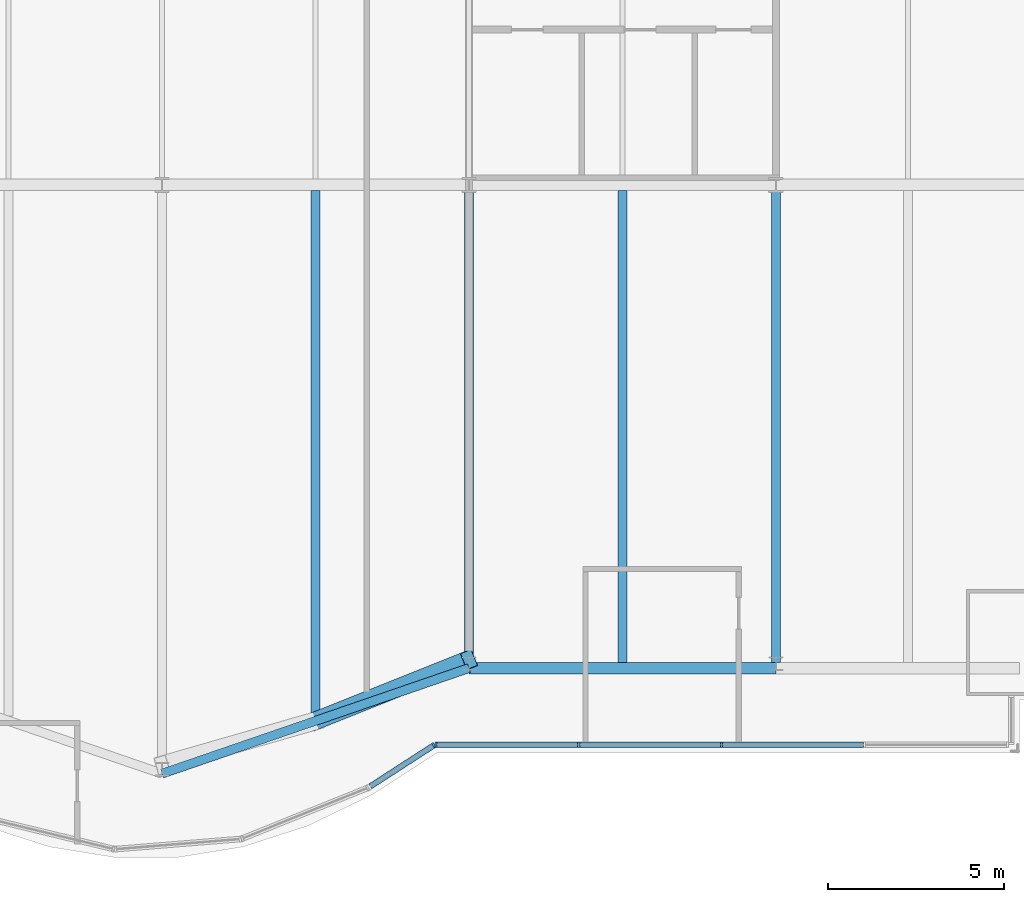
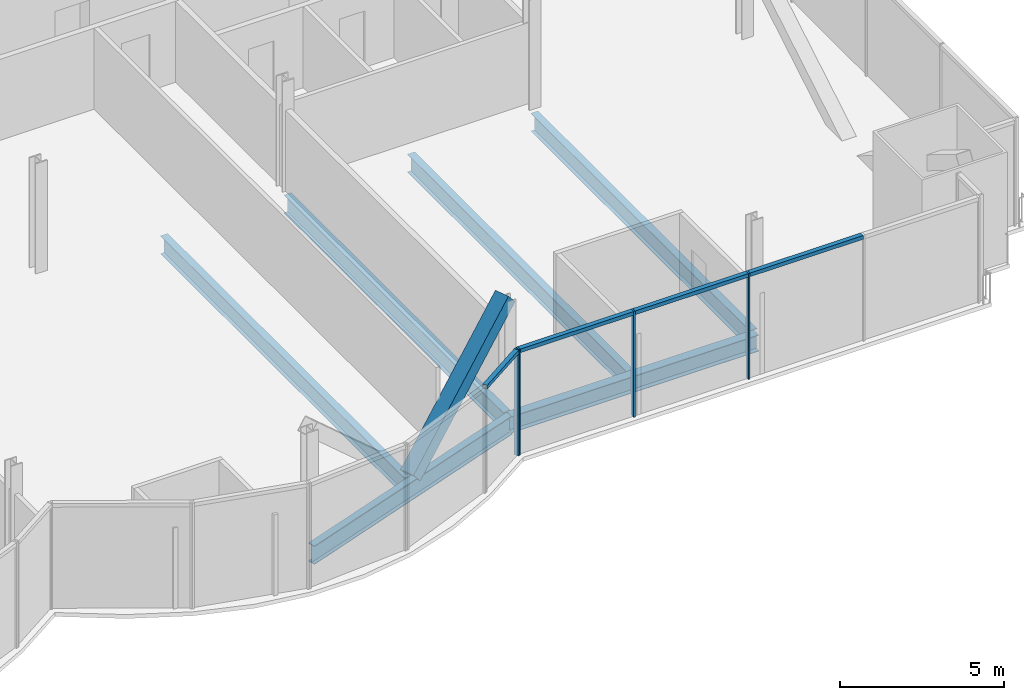
# One storey, part 8 of 21: 9 members, 6 beams, 2 elements without a shape of their own.
"""IFC4 building model written with IfcOpenShell, lengths in metres."""

from ifc_helpers import new_model, si_unit, direction, frame, origin, origin_2d, place, context, subcontext, project, spatial, rectangle, hollow_rectangle, i_section, extrude, material, material_profile, profile_set, type_object, element, aggregate, save


model = new_model("IFC4")

# Units and contexts
model_context = context("Model", 3, precision=1e-05, world=origin(), true_north=direction((0.0, 1.0)))
body_context = subcontext(model_context, "Body", "Model", "MODEL_VIEW")
ifc_project = project(units=[si_unit("LENGTHUNIT", "METRE"), si_unit("AREAUNIT", "SQUARE_METRE"), si_unit("VOLUMEUNIT", "CUBIC_METRE"), si_unit("PLANEANGLEUNIT", "RADIAN"), si_unit("MASSUNIT", "GRAM", prefix="KILO")], contexts=[model_context])

# Site, building, storey
site_placement = place(None, origin())
site = spatial("IfcSite", under=ifc_project, at=site_placement, CompositionType="ELEMENT")
building_placement = place(site_placement, origin())
building = spatial("IfcBuilding", under=site, at=building_placement, Name="Bicima Exchange Tower", CompositionType="ELEMENT")
storey_placement = place(building_placement, frame((0.0, 0.0, 106.300048828125)))
storey = spatial("IfcBuildingStorey", under=building, at=storey_placement, Name="L22", CompositionType="ELEMENT", Elevation=106.300048828125)

# Beams
ifc_material_1 = material(Name="Steel ASTM A992 Gr 50", Category="steel")
ifc_material_profile_1 = material_profile(ifc_material_1, i_section(OverallWidth=0.25390625, OverallDepth=0.67822265625, WebThickness=0.01171875, FlangeThickness=0.016357421875, at=origin_2d()))
ifc_profile_set_1 = profile_set([ifc_material_profile_1], Name="Steel ASTM A992 Gr 50")
beam_type_1 = type_object("IfcBeamType", Name="Floor beam W27x84", PredefinedType="JOIST", material=ifc_profile_set_1)
beam_1_placement = place(storey_placement, frame((13.050048828125, -22.16259765625, -0.4892578125), z_axis=(0.0, -1.0, 0.0), x_axis=(1.0, 0.0, 0.0)))
element("IfcBeam", 1, at=beam_1_placement, inside=storey, type_object=beam_type_1, Name="Floor beam", PredefinedType="JOIST", context=body_context, shape_type="SweptSolid", body=[
    extrude(i_section(OverallWidth=0.25390625, OverallDepth=0.67822265625, WebThickness=0.01171875, FlangeThickness=0.016357421875, at=origin_2d()), origin(), (0.0, 0.0, 1.0), 14.893310546875),
])
beam_2_placement = place(storey_placement, frame((17.39990234375, -22.16259765625, -0.4892578125), z_axis=(0.0, -1.0, 0.0), x_axis=(1.0, 0.0, 0.0)))
element("IfcBeam", 2, at=beam_2_placement, inside=storey, type_object=beam_type_1, Name="Floor beam", PredefinedType="JOIST", context=body_context, shape_type="SweptSolid", body=[
    extrude(i_section(OverallWidth=0.25390625, OverallDepth=0.67822265625, WebThickness=0.01171875, FlangeThickness=0.016357421875, at=origin_2d()), origin(), (0.0, 0.0, 1.0), 13.397705078125),
])
for number, where, z_axis, x_axis, name in (
    (3, (21.75, -22.16259765625, -0.4892578125), (0.0, -1.0, 0.0), (1.0, 0.0, 0.0), "Floor beam"),
    (4, (26.10009765625, -22.16259765625, -0.4892578125), (0.0, -1.0, 0.0), (1.0, 0.0, 0.0), "Floor beam"),
):
    element("IfcBeam", number, at=place(storey_placement, frame(where, z_axis=z_axis, x_axis=x_axis)), inside=storey, type_object=beam_type_1, Name=name, PredefinedType="JOIST", context=body_context, shape_type="SweptSolid", body=[
        extrude(i_section(OverallWidth=0.25390625, OverallDepth=0.67822265625, WebThickness=0.01171875, FlangeThickness=0.016357421875, at=origin_2d()), origin(), (0.0, 0.0, 1.0), 13.370849609375),
    ])
ifc_material_profile_2 = material_profile(ifc_material_1, i_section(OverallWidth=0.3251953125, OverallDepth=0.612060546875, WebThickness=0.0126953125, FlangeThickness=0.01904296875, at=origin_2d()))
ifc_profile_set_2 = profile_set([ifc_material_profile_2], Name="Steel ASTM A992 Gr 50")
beam_type_2 = type_object("IfcBeamType", Name="Front girder W24x104", PredefinedType="BEAM", material=ifc_profile_set_2)
beam_3_placement = place(storey_placement, frame((17.39990234375, -35.696044921875, -0.4560546875), z_axis=(1.0, 0.0, 0.0), x_axis=(0.0, 1.0, 0.0)))
element("IfcBeam", 5, at=beam_3_placement, inside=storey, type_object=beam_type_2, Name="Front girder", PredefinedType="BEAM", context=body_context, shape_type="SweptSolid", body=[
    extrude(i_section(OverallWidth=0.3251953125, OverallDepth=0.612060546875, WebThickness=0.0126953125, FlangeThickness=0.01904296875, at=origin_2d()), origin(), (0.0, 0.0, 1.0), 8.7001953125),
])
ifc_material_profile_3 = material_profile(ifc_material_1, i_section(OverallWidth=0.256591796875, OverallDepth=0.693359375, WebThickness=0.014404296875, FlangeThickness=0.023681640625, at=origin_2d()))
ifc_profile_set_3 = profile_set([ifc_material_profile_3], Name="Steel ASTM A992 Gr 50")
beam_type_3 = type_object("IfcBeamType", Name="Front girder W27x114", PredefinedType="BEAM", material=ifc_profile_set_3)
beam_4_placement = place(storey_placement, frame((8.699951171875, -38.68701171875, -0.496826171875), z_axis=(0.945674616091, 0.32511462668, 0.0), x_axis=(-0.32511462668, 0.945674616091, 0.0)))
element("IfcBeam", 6, at=beam_4_placement, inside=storey, type_object=beam_type_3, Name="Front girder", PredefinedType="BEAM", context=body_context, shape_type="SweptSolid", body=[
    extrude(i_section(OverallWidth=0.256591796875, OverallDepth=0.693359375, WebThickness=0.014404296875, FlangeThickness=0.023681640625, at=origin_2d()), origin(), (0.0, 0.0, 1.0), 9.19970703125),
])

# Curtain wall, member
ifc_material_2 = material(Name="Anodised bronze aluminium", Category="aluminium")
curtain_wall_type = type_object("IfcCurtainWallType", Name="Front glass wall", PredefinedType="NOTDEFINED", material=ifc_material_2)
curtain_wall_1_placement = place(storey_placement, origin())
curtain_wall_1 = element("IfcCurtainWall", 7, at=curtain_wall_1_placement, inside=storey, type_object=curtain_wall_type, Name="Front glass wall L22 run 11", PredefinedType="NOTDEFINED")
ifc_material_profile_4 = material_profile(ifc_material_2, rectangle(XDim=0.159912109375, YDim=0.06005859375, at=origin_2d()))
ifc_profile_set_4 = profile_set([ifc_material_profile_4], Name="Anodised bronze aluminium")
member_type_1 = type_object("IfcMemberType", Name="Front glass wall mullion 60 x 160", PredefinedType="MULLION", material=ifc_profile_set_4)
member_1_placement = place(storey_placement, frame((16.406982421875, -37.88232421875, 0.0), z_axis=(0.0, 0.0, 1.0), x_axis=(-0.542909183079, 0.839791413941, 0.0)))
member_1 = element("IfcMember", 8, at=member_1_placement, type_object=member_type_1, Name="Front glass wall mullion 2", PredefinedType="MULLION", context=body_context, shape_type="SweptSolid", body=[
    extrude(rectangle(XDim=0.159912109375, YDim=0.06005859375, at=origin_2d()), origin(), (0.0, 0.0, 1.0), 3.949951171875),
])

# Curtain wall, members
curtain_wall_2_placement = place(storey_placement, origin())
curtain_wall_2 = element("IfcCurtainWall", 9, at=curtain_wall_2_placement, inside=storey, type_object=curtain_wall_type, Name="Front glass wall L22 run 16", PredefinedType="NOTDEFINED")
member_2_placement = place(storey_placement, frame((16.462158203125, -37.865966796875, 0.0), z_axis=(0.0, 0.0, 1.0), x_axis=(0.0, 1.0, 0.0)))
member_2 = element("IfcMember", 10, at=member_2_placement, type_object=member_type_1, Name="Front glass wall mullion 1", PredefinedType="MULLION", context=body_context, shape_type="SweptSolid", body=[
    extrude(rectangle(XDim=0.159912109375, YDim=0.06005859375, at=origin_2d()), origin(), (0.0, 0.0, 1.0), 3.949951171875),
])
member_3_placement = place(storey_placement, frame((20.51171875, -37.865966796875, 0.0), z_axis=(0.0, 0.0, 1.0), x_axis=(0.0, 1.0, 0.0)))
member_3 = element("IfcMember", 11, at=member_3_placement, type_object=member_type_1, Name="Front glass wall mullion 2", PredefinedType="MULLION", context=body_context, shape_type="SweptSolid", body=[
    extrude(rectangle(XDim=0.159912109375, YDim=0.06005859375, at=origin_2d()), origin(), (0.0, 0.0, 1.0), 3.949951171875),
])
member_4_placement = place(storey_placement, frame((24.56103515625, -37.865966796875, 0.0), z_axis=(0.0, 0.0, 1.0), x_axis=(0.0, 1.0, 0.0)))
member_4 = element("IfcMember", 12, at=member_4_placement, type_object=member_type_1, Name="Front glass wall mullion 3", PredefinedType="MULLION", context=body_context, shape_type="SweptSolid", body=[
    extrude(rectangle(XDim=0.159912109375, YDim=0.06005859375, at=origin_2d()), origin(), (0.0, 0.0, 1.0), 3.949951171875),
])

# Member
ifc_material_profile_5 = material_profile(ifc_material_2, rectangle(XDim=0.159912109375, YDim=0.139892578125, at=origin_2d()))
ifc_profile_set_5 = profile_set([ifc_material_profile_5], Name="Anodised bronze aluminium")
member_type_2 = type_object("IfcMemberType", Name="Front glass wall transom 140 x 160", PredefinedType="USERDEFINED", material=ifc_profile_set_5)
member_5_placement = place(storey_placement, frame((14.60400390625, -39.0478515625, 3.8798828125), z_axis=(0.839792890287, 0.542906899407, 0.0), x_axis=(-0.542906899407, 0.839792890287, 0.0)))
member_5 = element("IfcMember", 13, at=member_5_placement, type_object=member_type_2, Name="Front glass wall transom 1.1", ObjectType="TRANSOM", PredefinedType="USERDEFINED", context=body_context, shape_type="SweptSolid", body=[
    extrude(rectangle(XDim=0.159912109375, YDim=0.139892578125, at=origin_2d()), origin(), (0.0, 0.0, 1.0), 2.11669921875),
])

aggregate(curtain_wall_1, [member_1, member_5])

member_6_placement = place(storey_placement, frame((16.4921875, -37.865966796875, 3.8798828125), z_axis=(1.0, 0.0, 0.0), x_axis=(0.0, 1.0, 0.0)))
member_6 = element("IfcMember", 14, at=member_6_placement, type_object=member_type_2, Name="Front glass wall transom 1.1", ObjectType="TRANSOM", PredefinedType="USERDEFINED", context=body_context, shape_type="SweptSolid", body=[
    extrude(rectangle(XDim=0.159912109375, YDim=0.139892578125, at=origin_2d()), origin(), (0.0, 0.0, 1.0), 3.989501953125),
])

member_7_placement = place(storey_placement, frame((20.54150390625, -37.865966796875, 3.8798828125), z_axis=(1.0, 0.0, 0.0), x_axis=(0.0, 1.0, 0.0)))
member_7 = element("IfcMember", 15, at=member_7_placement, type_object=member_type_2, Name="Front glass wall transom 2.1", ObjectType="TRANSOM", PredefinedType="USERDEFINED", context=body_context, shape_type="SweptSolid", body=[
    extrude(rectangle(XDim=0.159912109375, YDim=0.139892578125, at=origin_2d()), origin(), (0.0, 0.0, 1.0), 3.989501953125),
])

member_8_placement = place(storey_placement, frame((24.591064453125, -37.865966796875, 3.8798828125), z_axis=(1.0, 0.0, 0.0), x_axis=(0.0, 1.0, 0.0)))
member_8 = element("IfcMember", 16, at=member_8_placement, type_object=member_type_2, Name="Front glass wall transom 3.1", ObjectType="TRANSOM", PredefinedType="USERDEFINED", context=body_context, shape_type="SweptSolid", body=[
    extrude(rectangle(XDim=0.159912109375, YDim=0.139892578125, at=origin_2d()), origin(), (0.0, 0.0, 1.0), 3.989501953125),
])

aggregate(curtain_wall_2, [member_2, member_3, member_4, member_6, member_7, member_8])

ifc_material_3 = material(Name="Steel ASTM A572 Gr 50", Category="steel")
ifc_material_profile_6 = material_profile(ifc_material_3, hollow_rectangle(XDim=0.508056640625, YDim=0.508056640625, WallThickness=0.0146484375, at=origin_2d()))
ifc_profile_set_6 = profile_set([ifc_material_profile_6], Name="Steel ASTM A572 Gr 50")
member_type_3 = type_object("IfcMemberType", Name="Mega brace HSS20x20x5/8", PredefinedType="BRACE", material=ifc_profile_set_6)
member_9_placement = place(storey_placement, frame((13.050048828125, -37.19140625, 0.0), z_axis=(0.69872416977, 0.279419077825, 0.658566255988), x_axis=(-0.371309808925, 0.928509033772, 0.0)))
element("IfcMember", 17, at=member_9_placement, inside=storey, type_object=member_type_3, Name="Mega brace front", PredefinedType="BRACE", context=body_context, shape_type="SweptSolid", body=[
    extrude(hollow_rectangle(XDim=0.508056640625, YDim=0.508056640625, WallThickness=0.0146484375, at=origin_2d()), origin(), (0.0, 0.0, 1.0), 6.225341796875),
])

save(model, "model.ifc")
